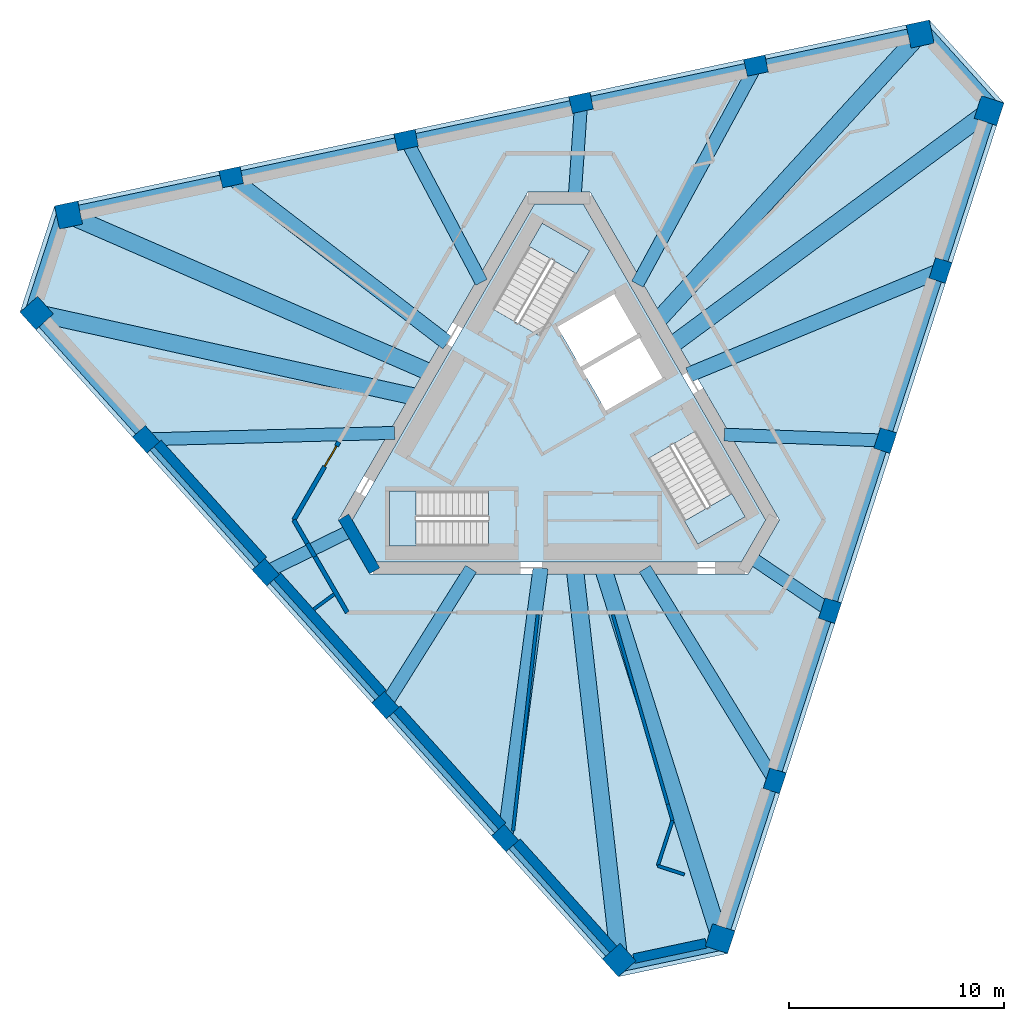
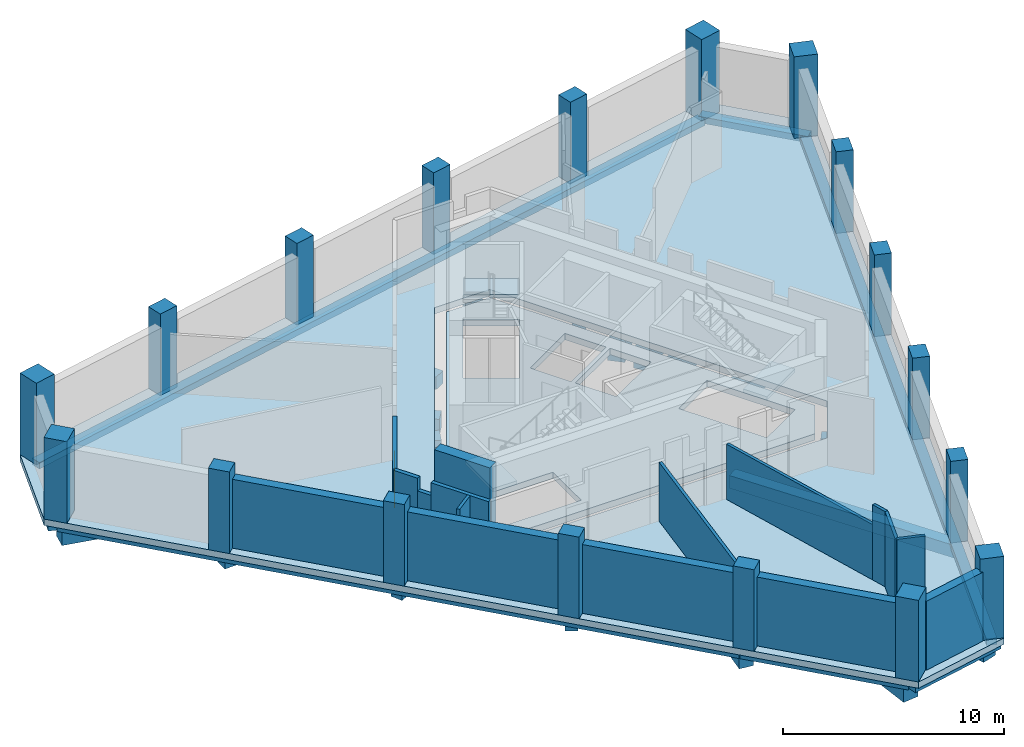
# One storey, part 1 of 5: 24 beams, 18 columns, 16 walls, 5 slabs, 1 door, 1 opening, 3 elements without a shape of their own.
"""IFC4 building model written with IfcOpenShell, lengths in metres."""

from ifc_helpers import new_model, si_unit, direction, frame, frame_2d, origin, origin_2d, place, context, subcontext, project, spatial, polyline, rectangle, outline, extrude, material, layer, layer_set, material_profile, profile_set, type_object, element, fill, aggregate, save


model = new_model("IFC4")

# Units and contexts
model_context = context("Model", 3, precision=1e-05, world=origin(), true_north=direction((0.0, 1.0)))
body_context = subcontext(model_context, "Body", "Model", "MODEL_VIEW")
ifc_project = project(units=[si_unit("LENGTHUNIT", "METRE"), si_unit("AREAUNIT", "SQUARE_METRE"), si_unit("VOLUMEUNIT", "CUBIC_METRE"), si_unit("PLANEANGLEUNIT", "RADIAN"), si_unit("MASSUNIT", "GRAM", prefix="KILO")], contexts=[model_context])

# Site, building, storey
site_placement = place(None, origin())
site = spatial("IfcSite", under=ifc_project, at=site_placement, CompositionType="ELEMENT")
building_placement = place(site_placement, origin())
building = spatial("IfcBuilding", under=site, at=building_placement, Name="Tramontana Tower", CompositionType="ELEMENT")
storey_placement = place(building_placement, frame((0.0, 0.0, 370.39990234375)))
storey = spatial("IfcBuildingStorey", under=building, at=storey_placement, Name="L85", CompositionType="ELEMENT", Elevation=370.39990234375)

# Columns
ifc_material_1 = material(Name="Concrete 55 MPa", Category="concrete")
ifc_material_profile_1 = material_profile(ifc_material_1, rectangle(XDim=1.10009765625, YDim=1.10009765625, at=origin_2d()), Name="Mega column 1100X1100 55 MPa")
ifc_profile_set_1 = profile_set([ifc_material_profile_1], Name="Concrete 55 MPa")
column_type_1 = type_object("IfcColumnType", Name="Mega column 1100X1100 55 MPa", PredefinedType="COLUMN", material=ifc_profile_set_1)
for number, where, z_axis, x_axis, name in (
    (1, (-24.278076171875, 5.368408203125, 0.0), (0.0, 0.0, 1.0), (0.669130606359, -0.743144825477, 0.0), "Mega column C8K1 L85"),
    (2, (2.80126953125, -24.706298828125, 0.0), (0.0, 0.0, 1.0), (0.669130606359, -0.743144825477, 0.0), "Mega column C8K2 L85"),
    (3, (7.489990234375, -23.70947265625, 0.0), (0.0, 0.0, 1.0), (0.309016994375, 0.951056516295, 0.0), "Mega column C8K3 L85"),
    (4, (19.99560546875, 14.779052734375, 0.0), (0.0, 0.0, 1.0), (0.309016994375, 0.951056516295, 0.0), "Mega column C8K4 L85"),
    (5, (16.7880859375, 18.34130859375, 0.0), (0.0, 0.0, 1.0), (-0.978147600734, -0.207911690818, 0.0), "Mega column C8K5 L85"),
    (6, (-22.796875, 9.92724609375, 0.0), (0.0, 0.0, 1.0), (-0.978147600734, -0.207911690818, 0.0), "Mega column C8K6 L85"),
):
    element("IfcColumn", number, at=place(storey_placement, frame(where, z_axis=z_axis, x_axis=x_axis)), inside=storey, type_object=column_type_1, Name=name, PredefinedType="COLUMN", context=body_context, shape_type="SweptSolid", body=[
        extrude(rectangle(XDim=1.10009765625, YDim=1.10009765625, at=origin_2d()), origin(), (0.0, 0.0, 1.0), 4.5),
    ])
ifc_material_2 = material(Name="Concrete 55 MPa", Category="concrete")
ifc_material_profile_2 = material_profile(ifc_material_2, rectangle(XDim=1.0, YDim=0.800048828125, at=origin_2d()), Name="Pier column 1000X800 55 MPa")
ifc_profile_set_2 = profile_set([ifc_material_profile_2], Name="Concrete 55 MPa")
column_type_2 = type_object("IfcColumnType", Name="Pier column 1000X800 55 MPa", PredefinedType="COLUMN", material=ifc_profile_set_2)
for number, where, z_axis, x_axis, name in (
    (7, (-19.194580078125, -0.501708984375, 0.0), (0.0, 0.0, 1.0), (0.669130606359, -0.743144825477, 0.0), "Pier column C8F01 L85"),
    (8, (-13.63134765625, -6.68017578125, 0.0), (0.0, 0.0, 1.0), (0.669130606359, -0.743144825477, 0.0), "Pier column C8F02 L85"),
    (9, (-8.068359375, -12.8583984375, 0.0), (0.0, 0.0, 1.0), (0.669130606359, -0.743144825477, 0.0), "Pier column C8F03 L85"),
    (10, (-2.50537109375, -19.036865234375, 0.0), (0.0, 0.0, 1.0), (0.669130606359, -0.743144825477, 0.0), "Pier column C8F04 L85"),
    (11, (10.03173828125, -16.3720703125, 0.0), (0.0, 0.0, 1.0), (0.309016994375, 0.951056516295, 0.0), "Pier column C8F05 L85"),
    (12, (12.600830078125, -8.465087890625, 0.0), (0.0, 0.0, 1.0), (0.309016994375, 0.951056516295, 0.0), "Pier column C8F06 L85"),
    (13, (15.169921875, -0.55810546875, 0.0), (0.0, 0.0, 1.0), (0.309016994375, 0.951056516295, 0.0), "Pier column C8F07 L85"),
    (14, (17.739013671875, 7.348876953125, 0.0), (0.0, 0.0, 1.0), (0.309016994375, 0.951056516295, 0.0), "Pier column C8F08 L85"),
    (15, (9.162841796875, 16.873779296875, 0.0), (0.0, 0.0, 1.0), (-0.978147600734, -0.207911690818, 0.0), "Pier column C8F09 L85"),
    (16, (1.030517578125, 15.145263671875, 0.0), (0.0, 0.0, 1.0), (-0.978147600734, -0.207911690818, 0.0), "Pier column C8F10 L85"),
    (17, (-7.1015625, 13.416748046875, 0.0), (0.0, 0.0, 1.0), (-0.978147600734, -0.207911690818, 0.0), "Pier column C8F11 L85"),
    (18, (-15.233642578125, 11.688232421875, 0.0), (0.0, 0.0, 1.0), (-0.978147600734, -0.207911690818, 0.0), "Pier column C8F12 L85"),
):
    element("IfcColumn", number, at=place(storey_placement, frame(where, z_axis=z_axis, x_axis=x_axis)), inside=storey, type_object=column_type_2, Name=name, PredefinedType="COLUMN", context=body_context, shape_type="SweptSolid", body=[
        extrude(rectangle(XDim=1.0, YDim=0.800048828125, at=origin_2d()), origin(), (0.0, 0.0, 1.0), 4.5),
    ])

# Beams
ifc_material_3 = material(Name="Concrete 40 MPa", Category="concrete")
ifc_material_profile_3 = material_profile(ifc_material_3, rectangle(XDim=0.5, YDim=0.35009765625, at=origin_2d()), Name="RC EDGE BEAM 500X350 40 MPa")
ifc_profile_set_3 = profile_set([ifc_material_profile_3], Name="Concrete 40 MPa")
beam_type_1 = type_object("IfcBeamType", Name="RC EDGE BEAM 500X350 40 MPa", PredefinedType="SPANDREL", material=ifc_profile_set_3)
for number, where, z_axis, x_axis, name in (
    (19, (-24.352294921875, 5.301513671875, -0.52490234375), (0.669126699639, -0.743148343086, 0.0), (0.743148343086, 0.669126699639, 0.0), "Spandrel beam S0 L85"),
    (20, (7.5849609375, -23.740478515625, -0.52490234375), (0.309021003975, 0.951055213488, 0.0), (-0.951055213488, 0.309021003975, 0.0), "Spandrel beam S1 L85"),
):
    element("IfcBeam", number, at=place(storey_placement, frame(where, z_axis=z_axis, x_axis=x_axis)), inside=storey, type_object=beam_type_1, Name=name, PredefinedType="SPANDREL", context=body_context, shape_type="SweptSolid", body=[
        extrude(rectangle(XDim=0.5, YDim=0.35009765625, at=origin_2d()), origin(), (0.0, 0.0, 1.0), 40.46923828125),
    ])
beam_1_placement = place(storey_placement, frame((16.767333984375, 18.439208984375, -0.52490234375), z_axis=(-0.978146276815, -0.20791791927, 0.0), x_axis=(0.20791791927, -0.978146276815, 0.0)))
element("IfcBeam", 21, at=beam_1_placement, inside=storey, type_object=beam_type_1, Name="Spandrel beam S2 L85", PredefinedType="SPANDREL", context=body_context, shape_type="SweptSolid", body=[
    extrude(rectangle(XDim=0.5, YDim=0.35009765625, at=origin_2d()), origin(), (0.0, 0.0, 1.0), 40.469482421875),
])
beam_2_placement = place(storey_placement, frame((-23.02099609375, 10.2119140625, -0.52490234375), z_axis=(-0.309015953557, -0.951056854477, 0.0), x_axis=(0.951056854477, -0.309015953557, 0.0)))
element("IfcBeam", 22, at=beam_2_placement, inside=storey, type_object=beam_type_1, Name="Spandrel beam K0 L85", PredefinedType="SPANDREL", context=body_context, shape_type="SweptSolid", body=[
    extrude(rectangle(XDim=0.5, YDim=0.35009765625, at=origin_2d()), origin(), (0.0, 0.0, 1.0), 5.1962890625),
])
for number, where, z_axis, x_axis, name in (
    (23, (2.6669921875, -25.042724609375, -0.52490234375), (0.97814762463, 0.207911578393, 0.0), (-0.207911578393, 0.97814762463, 0.0), "Spandrel beam K1 L85"),
    (24, (20.354248046875, 14.8310546875, -0.52490234375), (-0.66916199362, 0.74311656306, 0.0), (-0.74311656306, -0.66916199362, 0.0), "Spandrel beam K2 L85"),
):
    element("IfcBeam", number, at=place(storey_placement, frame(where, z_axis=z_axis, x_axis=x_axis)), inside=storey, type_object=beam_type_1, Name=name, PredefinedType="SPANDREL", context=body_context, shape_type="SweptSolid", body=[
        extrude(rectangle(XDim=0.5, YDim=0.35009765625, at=origin_2d()), origin(), (0.0, 0.0, 1.0), 5.196044921875),
    ])
ifc_material_4 = material(Name="Concrete 40 MPa", Category="concrete")
ifc_material_profile_4 = material_profile(ifc_material_4, rectangle(XDim=0.60009765625, YDim=0.699951171875, at=origin_2d()), Name="RC GIRDER 600X700 40 MPa")
ifc_profile_set_4 = profile_set([ifc_material_profile_4], Name="Concrete 40 MPa")
beam_type_2 = type_object("IfcBeamType", Name="RC GIRDER 600X700 40 MPa", PredefinedType="BEAM", material=ifc_profile_set_4)
beam_3_placement = place(storey_placement, frame((-19.194580078125, -0.501708984375, -0.699951171875), z_axis=(0.999658682192, 0.026125066864, 0.0), x_axis=(-0.026125066864, 0.999658682192, 0.0)))
element("IfcBeam", 25, at=beam_3_placement, inside=storey, type_object=beam_type_2, Name="Radial girder C8F01 L85", PredefinedType="BEAM", context=body_context, shape_type="SweptSolid", body=[
    extrude(rectangle(XDim=0.60009765625, YDim=0.699951171875, at=origin_2d()), origin(), (0.0, 0.0, 1.0), 11.559814453125),
])
beam_4_placement = place(storey_placement, frame((-13.63134765625, -6.68017578125, -0.699951171875), z_axis=(0.897959158445, 0.440078799496, 0.0), x_axis=(-0.440078799496, 0.897959158445, 0.0)))
element("IfcBeam", 26, at=beam_4_placement, inside=storey, type_object=beam_type_2, Name="Radial girder C8F02 L85", PredefinedType="BEAM", context=body_context, shape_type="SweptSolid", body=[
    extrude(rectangle(XDim=0.60009765625, YDim=0.699951171875, at=origin_2d()), origin(), (0.0, 0.0, 1.0), 4.4296875),
])
beam_5_placement = place(storey_placement, frame((-8.068359375, -12.8583984375, -0.699951171875), z_axis=(0.531504835363, 0.847055257929, 0.0), x_axis=(-0.847055257929, 0.531504835363, 0.0)))
element("IfcBeam", 27, at=beam_5_placement, inside=storey, type_object=beam_type_2, Name="Radial girder C8F03 L85", PredefinedType="BEAM", context=body_context, shape_type="SweptSolid", body=[
    extrude(rectangle(XDim=0.60009765625, YDim=0.699951171875, at=origin_2d()), origin(), (0.0, 0.0, 1.0), 7.486328125),
])
beam_6_placement = place(storey_placement, frame((10.03173828125, -16.3720703125, -0.699951171875), z_axis=(-0.522458548495, 0.852664685034, 0.0), x_axis=(-0.852664685034, -0.522458548495, 0.0)))
element("IfcBeam", 28, at=beam_6_placement, inside=storey, type_object=beam_type_2, Name="Radial girder C8F05 L85", PredefinedType="BEAM", context=body_context, shape_type="SweptSolid", body=[
    extrude(rectangle(XDim=0.60009765625, YDim=0.699951171875, at=origin_2d()), origin(), (0.0, 0.0, 1.0), 11.559814453125),
])
beam_7_placement = place(storey_placement, frame((12.600830078125, -8.465087890625, -0.699951171875), z_axis=(-0.830077902204, 0.557647448011, 0.0), x_axis=(-0.557647448011, -0.830077902204, 0.0)))
element("IfcBeam", 29, at=beam_7_placement, inside=storey, type_object=beam_type_2, Name="Radial girder C8F06 L85", PredefinedType="BEAM", context=body_context, shape_type="SweptSolid", body=[
    extrude(rectangle(XDim=0.60009765625, YDim=0.699951171875, at=origin_2d()), origin(), (0.0, 0.0, 1.0), 4.4296875),
])
beam_8_placement = place(storey_placement, frame((15.169921875, -0.55810546875, -0.699951171875), z_axis=(-0.999324360611, 0.036753534393, 0.0), x_axis=(-0.036753534393, -0.999324360611, 0.0)))
element("IfcBeam", 30, at=beam_8_placement, inside=storey, type_object=beam_type_2, Name="Radial girder C8F07 L85", PredefinedType="BEAM", context=body_context, shape_type="SweptSolid", body=[
    extrude(rectangle(XDim=0.60009765625, YDim=0.699951171875, at=origin_2d()), origin(), (0.0, 0.0, 1.0), 7.486328125),
])
beam_9_placement = place(storey_placement, frame((9.16259765625, 16.873779296875, -0.699951171875), z_axis=(-0.477185075818, -0.87880282397, 0.0), x_axis=(0.87880282397, -0.477185075818, 0.0)))
element("IfcBeam", 31, at=beam_9_placement, inside=storey, type_object=beam_type_2, Name="Radial girder C8F09 L85", PredefinedType="BEAM", context=body_context, shape_type="SweptSolid", body=[
    extrude(rectangle(XDim=0.60009765625, YDim=0.699951171875, at=origin_2d()), origin(), (0.0, 0.0, 1.0), 11.559814453125),
])
beam_10_placement = place(storey_placement, frame((1.030517578125, 15.145263671875, -0.699951171875), z_axis=(-0.067897965918, -0.997692270304, 0.0), x_axis=(0.997692270304, -0.067897965918, 0.0)))
element("IfcBeam", 32, at=beam_10_placement, inside=storey, type_object=beam_type_2, Name="Radial girder C8F10 L85", PredefinedType="BEAM", context=body_context, shape_type="SweptSolid", body=[
    extrude(rectangle(XDim=0.60009765625, YDim=0.699951171875, at=origin_2d()), origin(), (0.0, 0.0, 1.0), 4.429931640625),
])
beam_11_placement = place(storey_placement, frame((-7.1015625, 13.416748046875, -0.699951171875), z_axis=(0.467808305742, -0.883829954843, 0.0), x_axis=(0.883829954843, 0.467808305742, 0.0)))
element("IfcBeam", 33, at=beam_11_placement, inside=storey, type_object=beam_type_2, Name="Radial girder C8F11 L85", PredefinedType="BEAM", context=body_context, shape_type="SweptSolid", body=[
    extrude(rectangle(XDim=0.60009765625, YDim=0.699951171875, at=origin_2d()), origin(), (0.0, 0.0, 1.0), 7.486328125),
])
ifc_material_5 = material(Name="Concrete 40 MPa", Category="concrete")
ifc_material_profile_5 = material_profile(ifc_material_5, rectangle(XDim=0.699951171875, YDim=0.89990234375, at=origin_2d()), Name="RC GIRDER 700X900 40 MPa")
ifc_profile_set_5 = profile_set([ifc_material_profile_5], Name="Concrete 40 MPa")
beam_type_3 = type_object("IfcBeamType", Name="RC GIRDER 700X900 40 MPa", PredefinedType="BEAM", material=ifc_profile_set_5)
beam_12_placement = place(storey_placement, frame((-2.50537109375, -19.036865234375, -0.7998046875), z_axis=(0.130493398369, 0.991449178214, 0.0), x_axis=(-0.991449178214, 0.130493398369, 0.0)))
element("IfcBeam", 34, at=beam_12_placement, inside=storey, type_object=beam_type_3, Name="Radial girder C8F04 L85", PredefinedType="BEAM", context=body_context, shape_type="SweptSolid", body=[
    extrude(rectangle(XDim=0.699951171875, YDim=0.89990234375, at=origin_2d()), origin(), (0.0, 0.0, 1.0), 12.66796875),
])
beam_13_placement = place(storey_placement, frame((17.739013671875, 7.348876953125, -0.7998046875), z_axis=(-0.923857326556, -0.382737037885, 0.0), x_axis=(0.382737037885, -0.923857326556, 0.0)))
element("IfcBeam", 35, at=beam_13_placement, inside=storey, type_object=beam_type_3, Name="Radial girder C8F08 L85", PredefinedType="BEAM", context=body_context, shape_type="SweptSolid", body=[
    extrude(rectangle(XDim=0.699951171875, YDim=0.89990234375, at=origin_2d()), origin(), (0.0, 0.0, 1.0), 12.667724609375),
])
beam_14_placement = place(storey_placement, frame((-15.23388671875, 11.68798828125, -0.7998046875), z_axis=(0.793386383047, -0.608718364431, 0.0), x_axis=(0.608718364431, 0.793386383047, 0.0)))
element("IfcBeam", 36, at=beam_14_placement, inside=storey, type_object=beam_type_3, Name="Radial girder C8F12 L85", PredefinedType="BEAM", context=body_context, shape_type="SweptSolid", body=[
    extrude(rectangle(XDim=0.699951171875, YDim=0.89990234375, at=origin_2d()), origin(), (0.0, 0.0, 1.0), 12.66796875),
])
ifc_material_6 = material(Name="Concrete 40 MPa", Category="concrete")
ifc_material_profile_6 = material_profile(ifc_material_6, rectangle(XDim=0.800048828125, YDim=1.10009765625, at=origin_2d()), Name="RC GIRDER 800X1100 40 MPa")
ifc_profile_set_6 = profile_set([ifc_material_profile_6], Name="Concrete 40 MPa")
beam_type_4 = type_object("IfcBeamType", Name="RC GIRDER 800X1100 40 MPa", PredefinedType="BEAM", material=ifc_profile_set_6)
beam_15_placement = place(storey_placement, frame((-24.278076171875, 5.368408203125, -0.89990234375), z_axis=(0.976414256624, -0.215905533653, 0.0), x_axis=(0.215905533653, 0.976414256624, 0.0)))
element("IfcBeam", 37, at=beam_15_placement, inside=storey, type_object=beam_type_4, Name="Radial girder C8K1 L85", PredefinedType="BEAM", context=body_context, shape_type="SweptSolid", body=[
    extrude(rectangle(XDim=0.800048828125, YDim=1.10009765625, at=origin_2d()), origin(), (0.0, 0.0, 1.0), 18.060791015625),
])
beam_16_placement = place(storey_placement, frame((2.80126953125, -24.706298828125, -0.89990234375), z_axis=(-0.112660068087, 0.993633588934, 0.0), x_axis=(-0.993633588934, -0.112660068087, 0.0)))
element("IfcBeam", 38, at=beam_16_placement, inside=storey, type_object=beam_type_4, Name="Radial girder C8K2 L85", PredefinedType="BEAM", context=body_context, shape_type="SweptSolid", body=[
    extrude(rectangle(XDim=0.800048828125, YDim=1.10009765625, at=origin_2d()), origin(), (0.0, 0.0, 1.0), 18.34619140625),
])
beam_17_placement = place(storey_placement, frame((7.489990234375, -23.709716796875, -0.89990234375), z_axis=(-0.301228407795, 0.953552015538, 0.0), x_axis=(-0.953552015538, -0.301228407795, 0.0)))
element("IfcBeam", 39, at=beam_17_placement, inside=storey, type_object=beam_type_4, Name="Radial girder C8K3 L85", PredefinedType="BEAM", context=body_context, shape_type="SweptSolid", body=[
    extrude(rectangle(XDim=0.800048828125, YDim=1.10009765625, at=origin_2d()), origin(), (0.0, 0.0, 1.0), 18.060791015625),
])
beam_18_placement = place(storey_placement, frame((19.99560546875, 14.779052734375, -0.89990234375), z_axis=(-0.804178630494, -0.594387693562, 0.0), x_axis=(0.594387693562, -0.804178630494, 0.0)))
element("IfcBeam", 40, at=beam_18_placement, inside=storey, type_object=beam_type_4, Name="Radial girder C8K4 L85", PredefinedType="BEAM", context=body_context, shape_type="SweptSolid", body=[
    extrude(rectangle(XDim=0.800048828125, YDim=1.10009765625, at=origin_2d()), origin(), (0.0, 0.0, 1.0), 18.34619140625),
])
beam_19_placement = place(storey_placement, frame((16.7880859375, 18.34130859375, -0.89990234375), z_axis=(-0.675183941423, -0.737649405371, 0.0), x_axis=(0.737649405371, -0.675183941423, 0.0)))
element("IfcBeam", 41, at=beam_19_placement, inside=storey, type_object=beam_type_4, Name="Radial girder C8K5 L85", PredefinedType="BEAM", context=body_context, shape_type="SweptSolid", body=[
    extrude(rectangle(XDim=0.800048828125, YDim=1.10009765625, at=origin_2d()), origin(), (0.0, 0.0, 1.0), 18.060791015625),
])
beam_20_placement = place(storey_placement, frame((-22.796875, 9.92724609375, -0.89990234375), z_axis=(0.916837391717, -0.399260813441, 0.0), x_axis=(0.399260813441, 0.916837391717, 0.0)))
element("IfcBeam", 42, at=beam_20_placement, inside=storey, type_object=beam_type_4, Name="Radial girder C8K6 L85", PredefinedType="BEAM", context=body_context, shape_type="SweptSolid", body=[
    extrude(rectangle(XDim=0.800048828125, YDim=1.10009765625, at=origin_2d()), origin(), (0.0, 0.0, 1.0), 18.34619140625),
])

# Slabs
ifc_material_7 = material(Name="Concrete 40 MPa", Category="concrete")
ifc_layer_1 = layer(ifc_material_7, 0.35009765625)
ifc_layer_set_1 = layer_set([ifc_layer_1], Name="PT FLAT SLAB 350 40 MPa")
slab_type_1 = type_object("IfcSlabType", Name="PT FLAT SLAB 350 40 MPa", PredefinedType="FLOOR", material=ifc_layer_set_1)
slab_1_placement = place(storey_placement, frame((0.0, 0.0, -0.349853515625)))
element("IfcSlab", 43, at=slab_1_placement, inside=storey, type_object=slab_type_1, Name="Floor slab L85", PredefinedType="FLOOR", context=body_context, shape_type="SweptSolid", body=[
    extrude(outline(polyline([(20.688720703125, 15.132080078125), (7.843017578125, -24.402587890625), (2.760498046875, -25.48291015625), (-25.0546875, 5.408935546875), (-23.44921875, 10.350830078125), (17.211669921875, 18.99365234375), (20.688720703125, 15.132080078125)]), holes=[polyline([(-10.248046875, -4.25), (-8.8046875, -6.75), (8.8046875, -6.75), (10.248046875, -4.25), (1.443359375, 11.0), (-1.443359375, 11.0), (-10.248046875, -4.25)])]), origin(), (0.0, 0.0, 1.0), 0.349853515625),
])
slab_2_placement = place(storey_placement, frame((0.0, 0.0, -0.349853515625)))
element("IfcSlab", 44, at=slab_2_placement, inside=storey, type_object=slab_type_1, Name="Core floor slab L85", PredefinedType="FLOOR", context=body_context, shape_type="SweptSolid", body=[
    extrude(outline(polyline([(9.61279296875, -4.25), (8.487060546875, -6.199951171875), (-8.487060546875, -6.199951171875), (-9.61279296875, -4.25), (-1.125732421875, 10.449951171875), (1.125732421875, 10.449951171875), (9.61279296875, -4.25)]), holes=[polyline([(6.35986328125, -0.115478515625), (4.151611328125, -1.390625), (6.451416015625, -5.374267578125), (8.659912109375, -4.099365234375), (6.35986328125, -0.115478515625)]), polyline([(1.101806640625, 2.69140625), (2.177001953125, 0.82958984375), (4.90478515625, 2.404541015625), (3.829833984375, 4.2666015625), (1.101806640625, 2.69140625)]), polyline([(2.65478515625, 6.3017578125), (-0.072998046875, 4.726806640625), (1.001953125, 2.86474609375), (3.729736328125, 4.439697265625), (2.65478515625, 6.3017578125)]), polyline([(-0.77978515625, 9.54931640625), (-3.079833984375, 5.565673828125), (-0.87158203125, 4.29052734375), (1.428466796875, 8.2744140625), (-0.77978515625, 9.54931640625)]), polyline([(-3.280029296875, -5.449951171875), (-3.280029296875, -2.89990234375), (-7.8798828125, -2.89990234375), (-7.8798828125, -5.449951171875), (-3.280029296875, -5.449951171875)])]), origin(), (0.0, 0.0, 1.0), 0.349853515625),
])

# Stair, slab
ifc_material_8 = material(Name="Concrete 40 MPa", Category="concrete")
stair_type = type_object("IfcStairType", Name="EXIT STAIR 26 RISERS", PredefinedType="HALF_TURN_STAIR", material=ifc_material_8)
stair_1_placement = place(storey_placement, origin())
stair_1 = element("IfcStair", 45, at=stair_1_placement, inside=storey, type_object=stair_type, Name="L85 Exit stair ST1", PredefinedType="HALF_TURN_STAIR")
ifc_material_9 = material(Name="Concrete 40 MPa", Category="concrete")
ifc_layer_2 = layer(ifc_material_9, 0.199951171875)
ifc_layer_set_2 = layer_set([ifc_layer_2], Name="STAIR LANDING 200")
slab_type_2 = type_object("IfcSlabType", Name="STAIR LANDING 200", PredefinedType="LANDING", material=ifc_layer_set_2)
slab_3_placement = place(storey_placement, frame((0.0, 0.0, 2.050048828125)))
slab_3 = element("IfcSlab", 46, at=slab_3_placement, type_object=slab_type_2, Name="ST1 landing 1", PredefinedType="LANDING", context=body_context, shape_type="SweptSolid", body=[
    extrude(outline(polyline([(0.80859375, 7.200439453125), (1.428466796875, 8.274169921875), (-0.77978515625, 9.54931640625), (-1.39990234375, 8.475341796875), (0.80859375, 7.200439453125)])), origin(), (0.0, 0.0, 1.0), 0.199951171875),
])
aggregate(stair_1, [slab_3])

stair_2_placement = place(storey_placement, origin())
stair_2 = element("IfcStair", 47, at=stair_2_placement, inside=storey, type_object=stair_type, Name="L85 Exit stair ST2", PredefinedType="HALF_TURN_STAIR")
slab_4_placement = place(storey_placement, frame((0.0, 0.0, 2.050048828125)))
slab_4 = element("IfcSlab", 48, at=slab_4_placement, type_object=slab_type_2, Name="ST2 landing 1", PredefinedType="LANDING", context=body_context, shape_type="SweptSolid", body=[
    extrude(outline(polyline([(-6.639892578125, -2.89990234375), (-7.8798828125, -2.89990234375), (-7.8798828125, -5.449951171875), (-6.639892578125, -5.449951171875), (-6.639892578125, -2.89990234375)])), origin(), (0.0, 0.0, 1.0), 0.199951171875),
])
aggregate(stair_2, [slab_4])

stair_3_placement = place(storey_placement, origin())
stair_3 = element("IfcStair", 49, at=stair_3_placement, inside=storey, type_object=stair_type, Name="L85 Exit stair ST3", PredefinedType="HALF_TURN_STAIR")
slab_5_placement = place(storey_placement, frame((0.0, 0.0, 2.050048828125)))
slab_5 = element("IfcSlab", 50, at=slab_5_placement, type_object=slab_type_2, Name="ST3 landing 1", PredefinedType="LANDING", context=body_context, shape_type="SweptSolid", body=[
    extrude(outline(polyline([(5.83154296875, -4.30029296875), (6.451416015625, -5.374267578125), (8.659912109375, -4.099365234375), (8.039794921875, -3.025390625), (5.83154296875, -4.30029296875)])), origin(), (0.0, 0.0, 1.0), 0.199951171875),
])
aggregate(stair_3, [slab_5])

# Walls
ifc_material_10 = material(Name="Concrete 70 MPa", Category="concrete")
ifc_layer_3 = layer(ifc_material_10, 0.550048828125)
ifc_layer_set_3 = layer_set([ifc_layer_3], Name="Core wall 550 70 MPa")
wall_type_1 = type_object("IfcWallType", Name="Core wall 550 70 MPa", PredefinedType="SHEAR", material=ifc_layer_set_3)
wall_1_placement = place(storey_placement, frame((-10.009765625, -4.112548828125, 0.0), z_axis=(0.0, 0.0, 1.0), x_axis=(0.499995765644, -0.866027848477, 0.0)))
element("IfcWall", 51, at=wall_1_placement, inside=storey, type_object=wall_type_1, Name="Core wall C2 L85", PredefinedType="SHEAR", context=body_context, shape_type="SweptSolid", body=[
    extrude(rectangle(XDim=2.88671875, YDim=0.550048828125, at=frame_2d((1.443359375, 0.0))), origin(), (0.0, 0.0, 1.0), 4.5),
])
ifc_material_11 = material(Name="Blockwork", Category="masonry")
ifc_layer_4 = layer(ifc_material_11, 0.199951171875)
ifc_layer_set_4 = layer_set([ifc_layer_4], Name="ENTRY WALL 200")
wall_type_2 = type_object("IfcWallType", Name="ENTRY WALL 200", PredefinedType="SOLIDWALL", material=ifc_layer_set_4)
wall_2_placement = place(storey_placement, frame((-9.84375, -8.550048828125, 0.0), z_axis=(0.0, 0.0, 1.0), x_axis=(-0.500003959331, 0.866023117852, 0.0)))
element("IfcWall", 52, at=wall_2_placement, inside=storey, type_object=wall_type_2, Name="Wall ew2-0", PredefinedType="SOLIDWALL", context=body_context, shape_type="SweptSolid", body=[
    extrude(rectangle(XDim=3.0029296875, YDim=0.199951171875, at=frame_2d((1.50146484375, 0.0))), origin(), (0.0, 0.0, 1.0), 4.150146484375),
])
wall_3_placement = place(storey_placement, frame((-11.34521484375, -5.949462890625, 0.0), z_axis=(0.0, 0.0, 1.0), x_axis=(-0.499993523031, 0.866029143232, 0.0)))
element("IfcWall", 53, at=wall_3_placement, inside=storey, type_object=wall_type_2, Name="Wall ew2-1", PredefinedType="SOLIDWALL", context=body_context, shape_type="SweptSolid", body=[
    extrude(rectangle(XDim=0.70166015625, YDim=0.199951171875, at=frame_2d((0.350830078125, 0.0))), origin(), (0.0, 0.0, 1.0), 3.4501953125),
])
wall_4_placement = place(storey_placement, frame((-11.696044921875, -5.341796875, 0.0), z_axis=(0.0, 0.0, 1.0), x_axis=(-0.500013012896, 0.866017890655, 0.0)))
element("IfcWall", 54, at=wall_4_placement, inside=storey, type_object=wall_type_2, Name="Wall ew2-2", PredefinedType="SOLIDWALL", context=body_context, shape_type="SweptSolid", body=[
    extrude(rectangle(XDim=1.2607421875, YDim=0.199951171875, at=frame_2d((0.63037109375, 0.0))), origin(), (0.0, 0.0, 1.0), 4.150146484375),
])

# Wall, opening, door
wall_5_placement = place(storey_placement, frame((-12.326416015625, -4.25, 0.0), z_axis=(0.0, 0.0, 1.0), x_axis=(0.499982771656, 0.866035350345, 0.0)))
wall_5 = element("IfcWall", 55, at=wall_5_placement, inside=storey, type_object=wall_type_2, Name="Wall ew3-0", PredefinedType="SOLIDWALL", context=body_context, shape_type="SweptSolid", body=[
    extrude(rectangle(XDim=4.194580078125, YDim=0.199951171875, at=frame_2d((2.09716796875, 0.0))), origin(), (0.0, 0.0, 1.0), 4.150146484375),
])
opening_placement = place(wall_5_placement, frame((2.870361328125, 0.0, 0.0)))
opening = element("IfcOpeningElement", 56, at=opening_placement, cuts=wall_5, Name="Opening L85-04", PredefinedType="OPENING", context=body_context, shape_type="SweptSolid", body=[
    extrude(rectangle(XDim=1.10009765625, YDim=2.39990234375, at=frame_2d((0.550048828125, 1.199951171875))), frame((0.0, 0.10986328125, 0.0), z_axis=(0.0, -1.0, 0.0), x_axis=(1.0, 0.0, 0.0)), (0.0, 0.0, 1.0), 0.219970703125),
])
ifc_material_12 = material(Name="Painted timber", Category="wood")
door_type = type_object("IfcDoorType", Name="DOOR ENTRY 1100", OperationType="SINGLE_SWING_LEFT", PredefinedType="DOOR", material=ifc_material_12)
door_placement = place(opening_placement, origin())
door = element("IfcDoor", 57, at=door_placement, inside=storey, type_object=door_type, Name="Door L85-04", OperationType="SINGLE_SWING_RIGHT", OverallHeight=2.39990234375, OverallWidth=1.10009765625, PredefinedType="DOOR", context=body_context, shape_type="SweptSolid", body=[
    extrude(rectangle(XDim=1.10009765625, YDim=2.39990234375, at=frame_2d((0.550048828125, 1.199951171875))), frame((0.0, 0.02490234375, 0.0), z_axis=(0.0, -1.0, 0.0), x_axis=(1.0, 0.0, 0.0)), (0.0, 0.0, 1.0), 0.050048828125),
])
fill(opening, door)

# Walls
ifc_material_13 = material(Name="Precast concrete 60 MPa", Category="concrete")
ifc_layer_5 = layer(ifc_material_13, 0.449951171875)
ifc_layer_set_5 = layer_set([ifc_layer_5], Name="Precast concrete 60 MPa, 450 mm")
wall_type_3 = type_object("IfcWallType", Name="EW1 Stone-faced precast wall 450", PredefinedType="SOLIDWALL", material=ifc_layer_set_5)
wall_6_placement = place(storey_placement, frame((-18.655517578125, -0.689208984375, 0.0), z_axis=(0.0, 0.0, 1.0), x_axis=(0.669117789535, -0.743156365598, 0.0)))
element("IfcWall", 58, at=wall_6_placement, inside=storey, type_object=wall_type_3, Name="Stone band wall L85 face 0s 2", PredefinedType="SOLIDWALL", context=body_context, shape_type="SweptSolid", body=[
    extrude(rectangle(XDim=7.313720703125, YDim=0.449951171875, at=frame_2d((3.65673828125, 0.0))), origin(), (0.0, 0.0, 1.0), 3.800048828125),
])
wall_7_placement = place(storey_placement, frame((-13.092529296875, -6.86767578125, 0.0), z_axis=(0.0, 0.0, 1.0), x_axis=(0.669136224502, -0.74313976684, 0.0)))
element("IfcWall", 59, at=wall_7_placement, inside=storey, type_object=wall_type_3, Name="Stone band wall L85 face 0s 3", PredefinedType="SOLIDWALL", context=body_context, shape_type="SweptSolid", body=[
    extrude(rectangle(XDim=7.31396484375, YDim=0.449951171875, at=frame_2d((3.656982421875, 0.0))), origin(), (0.0, 0.0, 1.0), 3.800048828125),
])
wall_8_placement = place(storey_placement, frame((-7.529541015625, -13.046142578125, 0.0), z_axis=(0.0, 0.0, 1.0), x_axis=(0.669152823362, -0.743124820597, 0.0)))
element("IfcWall", 60, at=wall_8_placement, inside=storey, type_object=wall_type_3, Name="Stone band wall L85 face 0s 4", PredefinedType="SOLIDWALL", context=body_context, shape_type="SweptSolid", body=[
    extrude(rectangle(XDim=7.313720703125, YDim=0.449951171875, at=frame_2d((3.65673828125, 0.0))), origin(), (0.0, 0.0, 1.0), 3.800048828125),
])
wall_9_placement = place(storey_placement, frame((-1.96630859375, -19.224365234375, 0.0), z_axis=(0.0, 0.0, 1.0), x_axis=(0.66911941145, -0.743154905266, 0.0)))
element("IfcWall", 61, at=wall_9_placement, inside=storey, type_object=wall_type_3, Name="Stone band wall L85 face 0s 5", PredefinedType="SOLIDWALL", context=body_context, shape_type="SweptSolid", body=[
    extrude(rectangle(XDim=6.7138671875, YDim=0.449951171875, at=frame_2d((3.35693359375, 0.0))), origin(), (0.0, 0.0, 1.0), 3.800048828125),
])
wall_10_placement = place(storey_placement, frame((3.4814453125, -24.6396484375, 0.0), z_axis=(0.0, 0.0, 1.0), x_axis=(0.978139158523, 0.207951404333, 0.0)))
element("IfcWall", 62, at=wall_10_placement, inside=storey, type_object=wall_type_3, Name="Stone band wall L85 face 1k 1", PredefinedType="SOLIDWALL", context=body_context, shape_type="SweptSolid", body=[
    extrude(rectangle(XDim=3.435302734375, YDim=0.449951171875, at=frame_2d((1.7177734375, 0.0))), origin(), (0.0, 0.0, 1.0), 3.800048828125),
])
ifc_material_14 = material(Name="Gypsum board partition")
ifc_layer_6 = layer(ifc_material_14, 0.14990234375)
ifc_layer_set_6 = layer_set([ifc_layer_6], Name="PARTITION 150")
wall_type_4 = type_object("IfcWallType", Name="PARTITION 150", PredefinedType="PARTITIONING", material=ifc_layer_set_6)
wall_11_placement = place(storey_placement, frame((-10.44970703125, -7.70068359375, 0.0), z_axis=(0.0, 0.0, 1.0), x_axis=(-0.805029994767, -0.593234108532, 0.0)))
element("IfcWall", 63, at=wall_11_placement, inside=storey, type_object=wall_type_4, Name="Wall fw-pw01", PredefinedType="PARTITIONING", context=body_context, shape_type="SweptSolid", body=[
    extrude(rectangle(XDim=1.187255859375, YDim=0.14990234375, at=frame_2d((0.59375, 0.0))), origin(), (0.0, 0.0, 1.0), 4.150146484375),
])
wall_12_placement = place(storey_placement, frame((-0.98681640625, -8.650146484375, 0.0), z_axis=(0.0, 0.0, 1.0), x_axis=(-0.113368279169, -0.99355303496, 0.0)))
element("IfcWall", 64, at=wall_12_placement, inside=storey, type_object=wall_type_4, Name="Wall fw-pw05-0", PredefinedType="PARTITIONING", context=body_context, shape_type="SweptSolid", body=[
    extrude(rectangle(XDim=10.1171875, YDim=0.14990234375, at=frame_2d((5.05859375, 0.0))), origin(), (0.0, 0.0, 1.0), 3.25),
])
wall_13_placement = place(storey_placement, frame((2.50537109375, -8.650146484375, 0.0), z_axis=(0.0, 0.0, 1.0), x_axis=(0.278185386407, -0.960527402415, 0.0)))
element("IfcWall", 65, at=wall_13_placement, inside=storey, type_object=wall_type_4, Name="Wall fw-pw06-0", PredefinedType="PARTITIONING", context=body_context, shape_type="SweptSolid", body=[
    extrude(rectangle(XDim=9.1728515625, YDim=0.14990234375, at=frame_2d((4.58642578125, 0.0))), origin(), (0.0, 0.0, 1.0), 3.050048828125),
])
wall_14_placement = place(storey_placement, frame((5.05712890625, -17.4609375, 0.0), z_axis=(0.0, 0.0, 1.0), x_axis=(0.278222842465, -0.960516553699, 0.0)))
element("IfcWall", 66, at=wall_14_placement, inside=storey, type_object=wall_type_4, Name="Wall fw-pw06-1", PredefinedType="PARTITIONING", context=body_context, shape_type="SweptSolid", body=[
    extrude(rectangle(XDim=0.79150390625, YDim=0.14990234375, at=frame_2d((0.395751953125, 0.0))), origin(), (0.0, 0.0, 1.0), 4.150146484375),
])
wall_15_placement = place(storey_placement, frame((4.594970703125, -20.328369140625, 0.0), z_axis=(0.0, 0.0, 1.0), x_axis=(0.951063088132, -0.308996767609, 0.0)))
element("IfcWall", 67, at=wall_15_placement, inside=storey, type_object=wall_type_4, Name="Wall fw-pw07", PredefinedType="PARTITIONING", context=body_context, shape_type="SweptSolid", body=[
    extrude(rectangle(XDim=1.298095703125, YDim=0.14990234375, at=frame_2d((0.64892578125, 0.0))), origin(), (0.0, 0.0, 1.0), 4.150146484375),
])
wall_16_placement = place(storey_placement, frame((5.27734375, -18.221435546875, 0.0), z_axis=(0.0, 0.0, 1.0), x_axis=(-0.309036176758, -0.951050283347, 0.0)))
element("IfcWall", 68, at=wall_16_placement, inside=storey, type_object=wall_type_4, Name="Wall fw-pw09", PredefinedType="PARTITIONING", context=body_context, shape_type="SweptSolid", body=[
    extrude(rectangle(XDim=2.212890625, YDim=0.14990234375, at=frame_2d((1.1064453125, 0.0))), origin(), (0.0, 0.0, 1.0), 4.150146484375),
])

save(model, "model.ifc")
